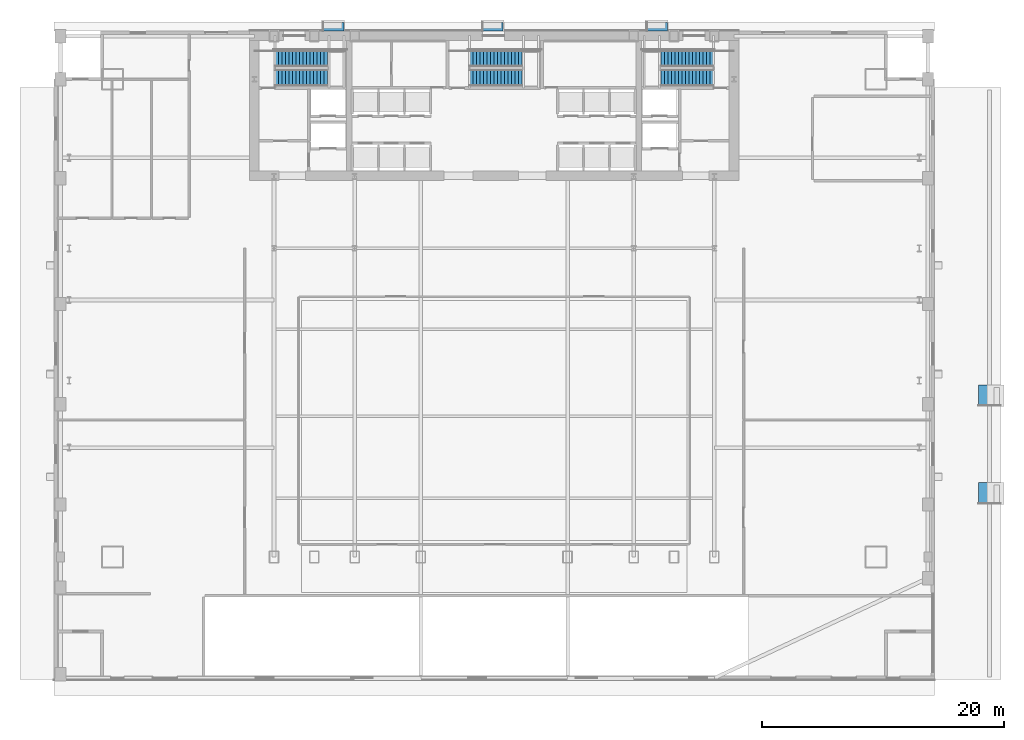
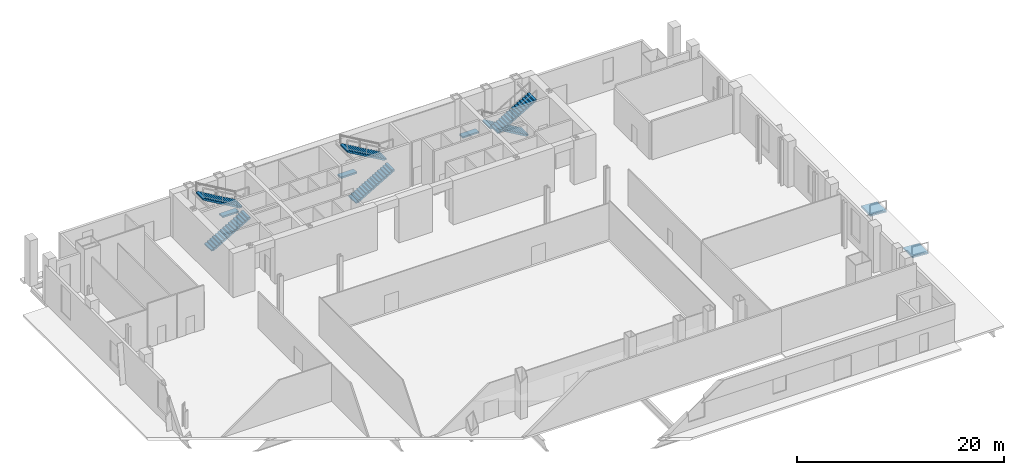
# One storey, part 12 of 16: 6 stair flights, 5 ramp flights, 8 elements without a shape of their own.
"""IFC4 building model written with IfcOpenShell, lengths in metres."""

from ifc_helpers import new_model, si_unit, direction, frame, origin, place, context, subcontext, project, spatial, polyline, outline, extrude, material, layer, layer_set, type_object, element, aggregate, save


model = new_model("IFC4")

# Units and contexts
model_context = context("Model", 3, precision=1e-05, world=origin(), true_north=direction((0.0, 1.0)))
body_context = subcontext(model_context, "Body", "Model", "MODEL_VIEW")
ifc_project = project(units=[si_unit("LENGTHUNIT", "METRE"), si_unit("AREAUNIT", "SQUARE_METRE"), si_unit("VOLUMEUNIT", "CUBIC_METRE"), si_unit("PLANEANGLEUNIT", "RADIAN"), si_unit("MASSUNIT", "GRAM", prefix="KILO")], contexts=[model_context])

# Site, building, storey
site_placement = place(None, origin())
site = spatial("IfcSite", under=ifc_project, at=site_placement, CompositionType="ELEMENT")
building_placement = place(site_placement, origin())
building = spatial("IfcBuilding", under=site, at=building_placement, Name="Khoronbel Lancet Exchange", CompositionType="ELEMENT")
storey_placement = place(building_placement, origin())
storey = spatial("IfcBuildingStorey", under=building, at=storey_placement, Name="L00", CompositionType="ELEMENT", Elevation=0.0)

# Stair, stair flights
ifc_material = material(Name="Concrete C40/50", Category="concrete")
stair_type = type_object("IfcStairType", Name="STR-CORE150", PredefinedType="HALF_TURN_STAIR", material=ifc_material)
stair_1_placement = place(storey_placement, origin())
stair_1 = element("IfcStair", 1, at=stair_1_placement, inside=storey, type_object=stair_type, Name="L00 Protected Exit Stair ST1", PredefinedType="HALF_TURN_STAIR")
stair_flight_type = type_object("IfcStairFlightType", Name="STF-150", PredefinedType="STRAIGHT", material=ifc_material)
stair_flight_1_placement = place(storey_placement, frame((18.300048828125, 49.81005859375, 0.0), z_axis=(0.0, 0.0, 1.0), x_axis=(1.0, 0.0, 0.0)))
stair_flight_1 = element("IfcStairFlight", 2, at=stair_flight_1_placement, type_object=stair_flight_type, Name="ST1 flight 1", NumberOfRisers=16, NumberOfTreads=15, PredefinedType="STRAIGHT", RiserHeight=0.16875, TreadLength=0.29, context=body_context, shape_type="SweptSolid", body=[
    extrude(outline(polyline([(0.0, 0.0), (0.0, 0.168701171875), (0.2900390625, 0.168701171875), (0.2900390625, 0.33740234375), (0.580078125, 0.33740234375), (0.580078125, 0.50634765625), (0.8701171875, 0.50634765625), (0.8701171875, 0.675048828125), (1.159912109375, 0.675048828125), (1.159912109375, 0.84375), (1.449951171875, 0.84375), (1.449951171875, 1.012451171875), (1.739990234375, 1.012451171875), (1.739990234375, 1.18115234375), (2.030029296875, 1.18115234375), (2.030029296875, 1.35009765625), (2.320068359375, 1.35009765625), (2.320068359375, 1.518798828125), (2.610107421875, 1.518798828125), (2.610107421875, 1.6875), (2.89990234375, 1.6875), (2.89990234375, 1.856201171875), (3.18994140625, 1.856201171875), (3.18994140625, 2.02490234375), (3.47998046875, 2.02490234375), (3.47998046875, 2.19384765625), (3.77001953125, 2.19384765625), (3.77001953125, 2.362548828125), (4.06005859375, 2.362548828125), (4.06005859375, 2.53125), (4.35009765625, 2.53125), (4.35009765625, 2.699951171875), (4.35009765625, 2.35791015625), (0.298095703125, 0.0), (0.0, 0.0)])), frame((0.0, 0.68994140625, 0.0), z_axis=(0.0, -1.0, 0.0), x_axis=(1.0, 0.0, 0.0)), (0.0, 0.0, 1.0), 1.3798828125),
])
stair_flight_2_placement = place(storey_placement, frame((22.64990234375, 51.409912109375, 2.699951171875), z_axis=(0.0, 0.0, 1.0), x_axis=(-1.0, 0.0, 0.0)))
stair_flight_2 = element("IfcStairFlight", 3, at=stair_flight_2_placement, type_object=stair_flight_type, Name="ST1 flight 2", NumberOfRisers=16, NumberOfTreads=15, PredefinedType="STRAIGHT", RiserHeight=0.16875, TreadLength=0.29, context=body_context, shape_type="SweptSolid", body=[
    extrude(outline(polyline([(0.0, 0.0), (0.0, 0.168701171875), (0.2900390625, 0.168701171875), (0.2900390625, 0.33740234375), (0.580078125, 0.33740234375), (0.580078125, 0.50634765625), (0.8701171875, 0.50634765625), (0.8701171875, 0.675048828125), (1.159912109375, 0.675048828125), (1.159912109375, 0.84375), (1.449951171875, 0.84375), (1.449951171875, 1.012451171875), (1.739990234375, 1.012451171875), (1.739990234375, 1.18115234375), (2.030029296875, 1.18115234375), (2.030029296875, 1.35009765625), (2.320068359375, 1.35009765625), (2.320068359375, 1.518798828125), (2.610107421875, 1.518798828125), (2.610107421875, 1.6875), (2.89990234375, 1.6875), (2.89990234375, 1.856201171875), (3.18994140625, 1.856201171875), (3.18994140625, 2.02490234375), (3.47998046875, 2.02490234375), (3.47998046875, 2.19384765625), (3.77001953125, 2.19384765625), (3.77001953125, 2.362548828125), (4.06005859375, 2.362548828125), (4.06005859375, 2.53125), (4.35009765625, 2.53125), (4.35009765625, 2.699951171875), (4.35009765625, 2.35791015625), (0.298095703125, 0.0), (0.0, 0.0)])), frame((0.0, 0.68994140625, 0.0), z_axis=(0.0, -1.0, 0.0), x_axis=(1.0, 0.0, 0.0)), (0.0, 0.0, 1.0), 1.3798828125),
])
aggregate(stair_1, [stair_flight_1, stair_flight_2])

stair_2_placement = place(storey_placement, origin())
stair_2 = element("IfcStair", 4, at=stair_2_placement, inside=storey, type_object=stair_type, Name="L00 Protected Exit Stair ST2", PredefinedType="HALF_TURN_STAIR")
stair_flight_3_placement = place(storey_placement, frame((54.60009765625, 51.409912109375, 0.0), z_axis=(0.0, 0.0, 1.0), x_axis=(-1.0, 0.0, 0.0)))
stair_flight_3 = element("IfcStairFlight", 5, at=stair_flight_3_placement, type_object=stair_flight_type, Name="ST2 flight 1", NumberOfRisers=16, NumberOfTreads=15, PredefinedType="STRAIGHT", RiserHeight=0.16875, TreadLength=0.29, context=body_context, shape_type="SweptSolid", body=[
    extrude(outline(polyline([(0.0, 0.0), (0.0, 0.168701171875), (0.2900390625, 0.168701171875), (0.2900390625, 0.33740234375), (0.580078125, 0.33740234375), (0.580078125, 0.50634765625), (0.8701171875, 0.50634765625), (0.8701171875, 0.675048828125), (1.159912109375, 0.675048828125), (1.159912109375, 0.84375), (1.449951171875, 0.84375), (1.449951171875, 1.012451171875), (1.739990234375, 1.012451171875), (1.739990234375, 1.18115234375), (2.030029296875, 1.18115234375), (2.030029296875, 1.35009765625), (2.320068359375, 1.35009765625), (2.320068359375, 1.518798828125), (2.610107421875, 1.518798828125), (2.610107421875, 1.6875), (2.89990234375, 1.6875), (2.89990234375, 1.856201171875), (3.18994140625, 1.856201171875), (3.18994140625, 2.02490234375), (3.47998046875, 2.02490234375), (3.47998046875, 2.19384765625), (3.77001953125, 2.19384765625), (3.77001953125, 2.362548828125), (4.06005859375, 2.362548828125), (4.06005859375, 2.53125), (4.35009765625, 2.53125), (4.35009765625, 2.699951171875), (4.35009765625, 2.35791015625), (0.298095703125, 0.0), (0.0, 0.0)])), frame((0.0, 0.68994140625, 0.0), z_axis=(0.0, -1.0, 0.0), x_axis=(1.0, 0.0, 0.0)), (0.0, 0.0, 1.0), 1.3798828125),
])
stair_flight_4_placement = place(storey_placement, frame((50.25, 49.81005859375, 2.699951171875), z_axis=(0.0, 0.0, 1.0), x_axis=(1.0, 0.0, 0.0)))
stair_flight_4 = element("IfcStairFlight", 6, at=stair_flight_4_placement, type_object=stair_flight_type, Name="ST2 flight 2", NumberOfRisers=16, NumberOfTreads=15, PredefinedType="STRAIGHT", RiserHeight=0.16875, TreadLength=0.29, context=body_context, shape_type="SweptSolid", body=[
    extrude(outline(polyline([(0.0, 0.0), (0.0, 0.168701171875), (0.2900390625, 0.168701171875), (0.2900390625, 0.33740234375), (0.580078125, 0.33740234375), (0.580078125, 0.50634765625), (0.8701171875, 0.50634765625), (0.8701171875, 0.675048828125), (1.159912109375, 0.675048828125), (1.159912109375, 0.84375), (1.449951171875, 0.84375), (1.449951171875, 1.012451171875), (1.739990234375, 1.012451171875), (1.739990234375, 1.18115234375), (2.030029296875, 1.18115234375), (2.030029296875, 1.35009765625), (2.320068359375, 1.35009765625), (2.320068359375, 1.518798828125), (2.610107421875, 1.518798828125), (2.610107421875, 1.6875), (2.89990234375, 1.6875), (2.89990234375, 1.856201171875), (3.18994140625, 1.856201171875), (3.18994140625, 2.02490234375), (3.47998046875, 2.02490234375), (3.47998046875, 2.19384765625), (3.77001953125, 2.19384765625), (3.77001953125, 2.362548828125), (4.06005859375, 2.362548828125), (4.06005859375, 2.53125), (4.35009765625, 2.53125), (4.35009765625, 2.699951171875), (4.35009765625, 2.35791015625), (0.298095703125, 0.0), (0.0, 0.0)])), frame((0.0, 0.68994140625, 0.0), z_axis=(0.0, -1.0, 0.0), x_axis=(1.0, 0.0, 0.0)), (0.0, 0.0, 1.0), 1.3798828125),
])
aggregate(stair_2, [stair_flight_3, stair_flight_4])

stair_3_placement = place(storey_placement, origin())
stair_3 = element("IfcStair", 7, at=stair_3_placement, inside=storey, type_object=stair_type, Name="L00 Protected Exit Stair ST3", PredefinedType="HALF_TURN_STAIR")
stair_flight_5_placement = place(storey_placement, frame((34.39990234375, 49.81005859375, 0.0), z_axis=(0.0, 0.0, 1.0), x_axis=(1.0, 0.0, 0.0)))
stair_flight_5 = element("IfcStairFlight", 8, at=stair_flight_5_placement, type_object=stair_flight_type, Name="ST3 flight 1", NumberOfRisers=16, NumberOfTreads=15, PredefinedType="STRAIGHT", RiserHeight=0.16875, TreadLength=0.29, context=body_context, shape_type="SweptSolid", body=[
    extrude(outline(polyline([(0.0, 0.0), (0.0, 0.168701171875), (0.2900390625, 0.168701171875), (0.2900390625, 0.33740234375), (0.580078125, 0.33740234375), (0.580078125, 0.50634765625), (0.8701171875, 0.50634765625), (0.8701171875, 0.675048828125), (1.159912109375, 0.675048828125), (1.159912109375, 0.84375), (1.449951171875, 0.84375), (1.449951171875, 1.012451171875), (1.739990234375, 1.012451171875), (1.739990234375, 1.18115234375), (2.030029296875, 1.18115234375), (2.030029296875, 1.35009765625), (2.320068359375, 1.35009765625), (2.320068359375, 1.518798828125), (2.610107421875, 1.518798828125), (2.610107421875, 1.6875), (2.89990234375, 1.6875), (2.89990234375, 1.856201171875), (3.18994140625, 1.856201171875), (3.18994140625, 2.02490234375), (3.47998046875, 2.02490234375), (3.47998046875, 2.19384765625), (3.77001953125, 2.19384765625), (3.77001953125, 2.362548828125), (4.06005859375, 2.362548828125), (4.06005859375, 2.53125), (4.35009765625, 2.53125), (4.35009765625, 2.699951171875), (4.35009765625, 2.35791015625), (0.298095703125, 0.0), (0.0, 0.0)])), frame((0.0, 0.68994140625, 0.0), z_axis=(0.0, -1.0, 0.0), x_axis=(1.0, 0.0, 0.0)), (0.0, 0.0, 1.0), 1.3798828125),
])
stair_flight_6_placement = place(storey_placement, frame((38.75, 51.409912109375, 2.699951171875), z_axis=(0.0, 0.0, 1.0), x_axis=(-1.0, 0.0, 0.0)))
stair_flight_6 = element("IfcStairFlight", 9, at=stair_flight_6_placement, type_object=stair_flight_type, Name="ST3 flight 2", NumberOfRisers=16, NumberOfTreads=15, PredefinedType="STRAIGHT", RiserHeight=0.16875, TreadLength=0.29, context=body_context, shape_type="SweptSolid", body=[
    extrude(outline(polyline([(0.0, 0.0), (0.0, 0.168701171875), (0.2900390625, 0.168701171875), (0.2900390625, 0.33740234375), (0.580078125, 0.33740234375), (0.580078125, 0.50634765625), (0.8701171875, 0.50634765625), (0.8701171875, 0.675048828125), (1.159912109375, 0.675048828125), (1.159912109375, 0.84375), (1.449951171875, 0.84375), (1.449951171875, 1.012451171875), (1.739990234375, 1.012451171875), (1.739990234375, 1.18115234375), (2.030029296875, 1.18115234375), (2.030029296875, 1.35009765625), (2.320068359375, 1.35009765625), (2.320068359375, 1.518798828125), (2.610107421875, 1.518798828125), (2.610107421875, 1.6875), (2.89990234375, 1.6875), (2.89990234375, 1.856201171875), (3.18994140625, 1.856201171875), (3.18994140625, 2.02490234375), (3.47998046875, 2.02490234375), (3.47998046875, 2.19384765625), (3.77001953125, 2.19384765625), (3.77001953125, 2.362548828125), (4.06005859375, 2.362548828125), (4.06005859375, 2.53125), (4.35009765625, 2.53125), (4.35009765625, 2.699951171875), (4.35009765625, 2.35791015625), (0.298095703125, 0.0), (0.0, 0.0)])), frame((0.0, 0.68994140625, 0.0), z_axis=(0.0, -1.0, 0.0), x_axis=(1.0, 0.0, 0.0)), (0.0, 0.0, 1.0), 1.3798828125),
])
aggregate(stair_3, [stair_flight_5, stair_flight_6])

# Ramp, ramp flight
ramp_type = type_object("IfcRampType", Name="RMP-PED", PredefinedType="STRAIGHT_RUN_RAMP", material=ifc_material)
ramp_1_placement = place(storey_placement, origin())
ramp_1 = element("IfcRamp", 10, at=ramp_1_placement, inside=storey, type_object=ramp_type, Name="Plaza step-free accessible entrance ramp R2", PredefinedType="STRAIGHT_RUN_RAMP")
ifc_layer = layer(ifc_material, 0.179931640625, Name="Concrete C40/50")
ifc_layer_set = layer_set([ifc_layer], Name="Concrete C40/50")
ramp_flight_type = type_object("IfcRampFlightType", Name="RMF-PED", PredefinedType="STRAIGHT", material=ifc_layer_set)
ramp_flight_1_placement = place(storey_placement, frame((78.35009765625, 14.5, -0.1201171875), z_axis=(0.0665818845, 0.0, 0.997780964268), x_axis=(0.0, 1.0, 0.0)))
ramp_flight_1 = element("IfcRampFlight", 11, at=ramp_flight_1_placement, type_object=ramp_flight_type, Name="Plaza step-free accessible entrance ramp flight R2", PredefinedType="STRAIGHT", context=body_context, shape_type="SweptSolid", body=[
    extrude(outline(polyline([(0.0, 0.0), (1.800048828125, 0.0), (1.800048828125, 1.803955078125), (0.0, 1.803955078125), (0.0, 0.0)])), origin(), (0.0, 0.0, -1.0), 0.179931640625),
])
aggregate(ramp_1, [ramp_flight_1])

ramp_2_placement = place(storey_placement, origin())
ramp_2 = element("IfcRamp", 12, at=ramp_2_placement, inside=storey, type_object=ramp_type, Name="Plaza step-free accessible entrance ramp R3", PredefinedType="STRAIGHT_RUN_RAMP")
ramp_flight_2_placement = place(storey_placement, frame((78.35009765625, 22.60009765625, -0.1201171875), z_axis=(0.0665818845, 0.0, 0.997780964268), x_axis=(0.0, 1.0, 0.0)))
ramp_flight_2 = element("IfcRampFlight", 13, at=ramp_flight_2_placement, type_object=ramp_flight_type, Name="Plaza step-free accessible entrance ramp flight R3", PredefinedType="STRAIGHT", context=body_context, shape_type="SweptSolid", body=[
    extrude(outline(polyline([(0.0, 0.0), (1.7998046875, 0.0), (1.7998046875, 1.803955078125), (0.0, 1.803955078125), (0.0, 0.0)])), origin(), (0.0, 0.0, -1.0), 0.179931640625),
])
aggregate(ramp_2, [ramp_flight_2])

ramp_3_placement = place(storey_placement, origin())
ramp_3 = element("IfcRamp", 14, at=ramp_3_placement, inside=storey, type_object=ramp_type, Name="Plaza step-free accessible entrance ramp R4", PredefinedType="STRAIGHT_RUN_RAMP")
ramp_flight_3_placement = place(storey_placement, frame((22.199951171875, 54.39990234375, -0.06005859375), z_axis=(0.0, 0.085489851472, 0.996339041339), x_axis=(1.0, 0.0, 0.0)))
ramp_flight_3 = element("IfcRampFlight", 15, at=ramp_flight_3_placement, type_object=ramp_flight_type, Name="Plaza step-free accessible entrance ramp flight R4", PredefinedType="STRAIGHT", context=body_context, shape_type="SweptSolid", body=[
    extrude(outline(polyline([(0.0, 0.0), (1.800048828125, 0.0), (1.800048828125, -0.70263671875), (0.0, -0.70263671875), (0.0, 0.0)])), origin(), (0.0, 0.0, -1.0), 0.179931640625),
])
aggregate(ramp_3, [ramp_flight_3])

ramp_4_placement = place(storey_placement, origin())
ramp_4 = element("IfcRamp", 16, at=ramp_4_placement, inside=storey, type_object=ramp_type, Name="Plaza step-free accessible entrance ramp R5", PredefinedType="STRAIGHT_RUN_RAMP")
ramp_flight_4_placement = place(storey_placement, frame((35.39990234375, 54.39990234375, -0.06005859375), z_axis=(0.0, 0.085489851472, 0.996339041339), x_axis=(1.0, 0.0, 0.0)))
ramp_flight_4 = element("IfcRampFlight", 17, at=ramp_flight_4_placement, type_object=ramp_flight_type, Name="Plaza step-free accessible entrance ramp flight R5", PredefinedType="STRAIGHT", context=body_context, shape_type="SweptSolid", body=[
    extrude(outline(polyline([(0.0, 0.0), (1.800048828125, 0.0), (1.800048828125, -0.70263671875), (0.0, -0.70263671875), (0.0, 0.0)])), origin(), (0.0, 0.0, -1.0), 0.179931640625),
])
aggregate(ramp_4, [ramp_flight_4])

ramp_5_placement = place(storey_placement, origin())
ramp_5 = element("IfcRamp", 18, at=ramp_5_placement, inside=storey, type_object=ramp_type, Name="Plaza step-free accessible entrance ramp R6", PredefinedType="STRAIGHT_RUN_RAMP")
ramp_flight_5_placement = place(storey_placement, frame((49.0, 54.39990234375, -0.06005859375), z_axis=(0.0, 0.085489851472, 0.996339041339), x_axis=(1.0, 0.0, 0.0)))
ramp_flight_5 = element("IfcRampFlight", 19, at=ramp_flight_5_placement, type_object=ramp_flight_type, Name="Plaza step-free accessible entrance ramp flight R6", PredefinedType="STRAIGHT", context=body_context, shape_type="SweptSolid", body=[
    extrude(outline(polyline([(0.0, 0.0), (1.800048828125, 0.0), (1.800048828125, -0.70263671875), (0.0, -0.70263671875), (0.0, 0.0)])), origin(), (0.0, 0.0, -1.0), 0.179931640625),
])
aggregate(ramp_5, [ramp_flight_5])

save(model, "model.ifc")
